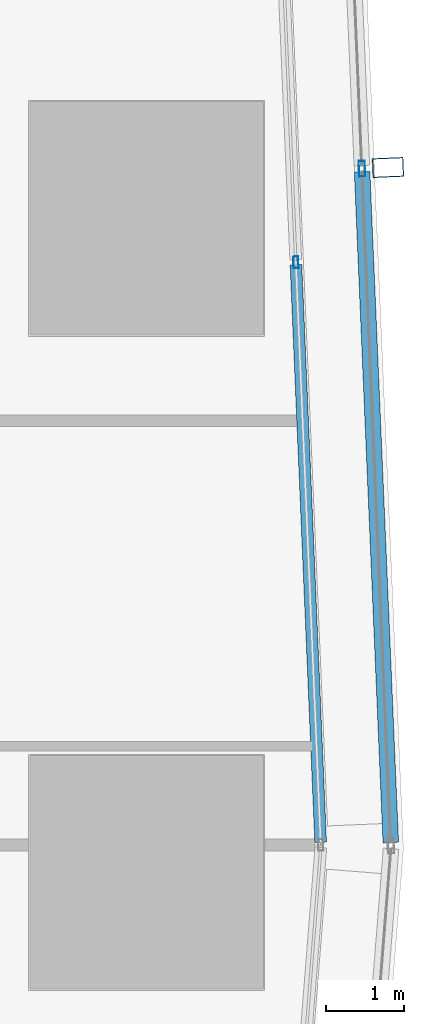
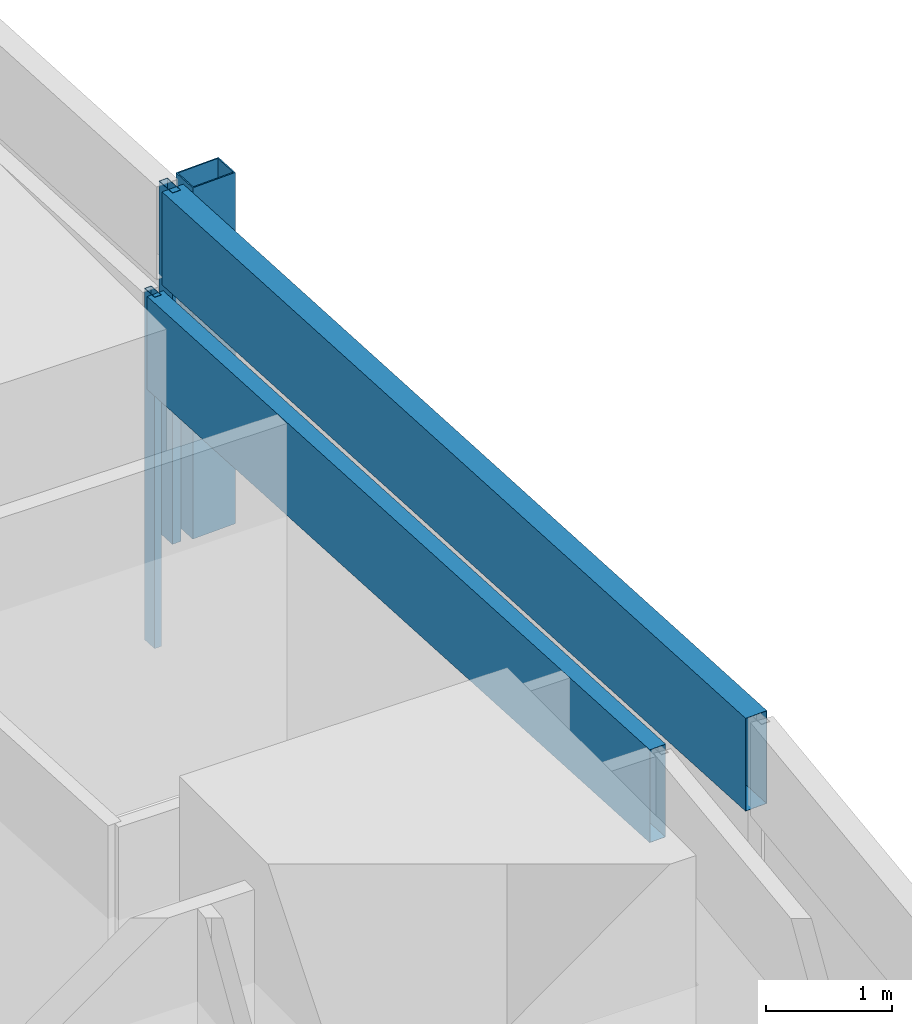
# One storey, part 27 of 44: 5 members, 2 elements without a shape of their own.
"""IFC4 building model written with IfcOpenShell, lengths in metres."""

from ifc_helpers import new_model, si_unit, direction, frame, origin, origin_2d, place, context, subcontext, project, spatial, hollow_rectangle, extrude, material, material_profile, profile_set, type_object, element, aggregate, save


model = new_model("IFC4")

# Units and contexts
model_context = context("Model", 3, precision=1e-05, world=origin(), true_north=direction((0.0, 1.0)))
body_context = subcontext(model_context, "Body", "Model", "MODEL_VIEW")
ifc_project = project(units=[si_unit("LENGTHUNIT", "METRE"), si_unit("AREAUNIT", "SQUARE_METRE"), si_unit("VOLUMEUNIT", "CUBIC_METRE"), si_unit("PLANEANGLEUNIT", "RADIAN"), si_unit("MASSUNIT", "GRAM", prefix="KILO")], contexts=[model_context])

# Site, building, storey
site_placement = place(None, origin())
site = spatial("IfcSite", under=ifc_project, at=site_placement, CompositionType="ELEMENT")
building_placement = place(site_placement, origin())
building = spatial("IfcBuilding", under=site, at=building_placement, Name="Rekha Terrace Tower", CompositionType="ELEMENT")
storey_placement = place(building_placement, frame((0.0, 0.0, 81.64990234375)))
storey = spatial("IfcBuildingStorey", under=building, at=storey_placement, Name="L20", CompositionType="ELEMENT", Elevation=81.64990234375)

# Curtain wall, member
ifc_material_1 = material(Name="Aluminium framing", Category="aluminium")
curtain_wall_type_1 = type_object("IfcCurtainWallType", Name="CW2 double skin outer glazing", PredefinedType="USERDEFINED", material=ifc_material_1)
curtain_wall_1_placement = place(storey_placement, origin())
curtain_wall_1 = element("IfcCurtainWall", 1, at=curtain_wall_1_placement, inside=storey, type_object=curtain_wall_type_1, Name="CW2 double skin outer glazing", ObjectType="DOUBLE SKIN OUTER GLAZING", PredefinedType="USERDEFINED")
ifc_material_2 = material(Name="Steel S355 with fluorocarbon finish", Category="steel")
ifc_material_profile_1 = material_profile(ifc_material_2, hollow_rectangle(XDim=0.25, YDim=0.39990234375, WallThickness=0.012451171875, at=origin_2d()), Name="RHS400x250x12.5")
ifc_profile_set_1 = profile_set([ifc_material_profile_1], Name="Steel S355 with fluorocarbon finish")
member_type_1 = type_object("IfcMemberType", Name="BL1 facade blade RHS 400 x 250", PredefinedType="USERDEFINED", material=ifc_profile_set_1)
member_1_placement = place(storey_placement, frame((70.301025390625, 34.2529296875, 0.0), z_axis=(0.0, 0.0, 1.0), x_axis=(-0.04269522475, 0.99908814315, 0.0)))
member_1 = element("IfcMember", 2, at=member_1_placement, type_object=member_type_1, Name="Facade blade", ObjectType="FACADE BLADE", PredefinedType="USERDEFINED", context=body_context, shape_type="SweptSolid", body=[
    extrude(hollow_rectangle(XDim=0.25, YDim=0.39990234375, WallThickness=0.012451171875, at=origin_2d()), origin(), (0.0, 0.0, 1.0), 3.400146484375),
])

# Curtain wall, members
curtain_wall_type_2 = type_object("IfcCurtainWallType", Name="CW1 double skin inner glazing", PredefinedType="USERDEFINED", material=ifc_material_1)
curtain_wall_2_placement = place(storey_placement, origin())
curtain_wall_2 = element("IfcCurtainWall", 3, at=curtain_wall_2_placement, inside=storey, type_object=curtain_wall_type_2, Name="CW1 double skin inner glazing", ObjectType="DOUBLE SKIN INNER GLAZING", PredefinedType="USERDEFINED")
ifc_material_3 = material(Name="Aluminium mullion section", Category="aluminium")
ifc_material_profile_2 = material_profile(ifc_material_3, hollow_rectangle(XDim=0.06494140625, YDim=0.14990234375, WallThickness=0.00390625, at=origin_2d()), Name="AL RHS 65x150")
ifc_profile_set_2 = profile_set([ifc_material_profile_2], Name="Aluminium mullion section")
member_type_2 = type_object("IfcMemberType", Name="CW1 mullion RHS 65 x 150", PredefinedType="MULLION", material=ifc_profile_set_2)
member_2_placement = place(storey_placement, frame((69.116943359375, 33.035888671875, 0.0), z_axis=(0.0, 0.0, 1.0), x_axis=(-0.999088106904, -0.042696072921, 0.0)))
member_2 = element("IfcMember", 4, at=member_2_placement, type_object=member_type_2, Name="CW1 mullion 2", PredefinedType="MULLION", context=body_context, shape_type="SweptSolid", body=[
    extrude(hollow_rectangle(XDim=0.06494140625, YDim=0.14990234375, WallThickness=0.00390625, at=origin_2d()), origin(), (0.0, 0.0, 1.0), 3.400146484375),
])
ifc_material_4 = material(Name="Insulated aluminium spandrel box", Category="aluminium")
ifc_material_profile_3 = material_profile(ifc_material_4, hollow_rectangle(XDim=0.14990234375, YDim=0.89990234375, WallThickness=0.0029296875, at=origin_2d()), Name="AL SPANDREL BOX 150x900")
ifc_profile_set_3 = profile_set([ifc_material_profile_3], Name="Insulated aluminium spandrel box")
member_type_3 = type_object("IfcMemberType", Name="CW1 spandrel transom 150 x 900", PredefinedType="USERDEFINED", material=ifc_profile_set_3)
member_3_placement = place(storey_placement, frame((69.435546875, 25.584228515625, 2.9501953125), z_axis=(-0.042706731354, 0.999087651359, 0.0), x_axis=(-0.999087651359, -0.042706731354, 0.0)))
member_3 = element("IfcMember", 5, at=member_3_placement, type_object=member_type_3, Name="CW1 spandrel transom 1", ObjectType="TRANSOM", PredefinedType="USERDEFINED", context=body_context, shape_type="SweptSolid", body=[
    extrude(hollow_rectangle(XDim=0.14990234375, YDim=0.89990234375, WallThickness=0.0029296875, at=origin_2d()), origin(), (0.0, 0.0, 1.0), 7.426025390625),
])
aggregate(curtain_wall_2, [member_2, member_3])

# Member
ifc_material_profile_4 = material_profile(ifc_material_3, hollow_rectangle(XDim=0.080078125, YDim=0.199951171875, WallThickness=0.00390625, at=origin_2d()), Name="AL RHS 80x200")
ifc_profile_set_4 = profile_set([ifc_material_profile_4], Name="Aluminium mullion section")
member_type_4 = type_object("IfcMemberType", Name="CW2 mullion RHS 80 x 200", PredefinedType="MULLION", material=ifc_profile_set_4)
member_4_placement = place(storey_placement, frame((69.96630859375, 34.23876953125, 0.0), z_axis=(0.0, 0.0, 1.0), x_axis=(-0.999088106903, -0.042696072956, 0.0)))
member_4 = element("IfcMember", 6, at=member_4_placement, type_object=member_type_4, Name="CW2 mullion 2", PredefinedType="MULLION", context=body_context, shape_type="SweptSolid", body=[
    extrude(hollow_rectangle(XDim=0.080078125, YDim=0.199951171875, WallThickness=0.00390625, at=origin_2d()), origin(), (0.0, 0.0, 1.0), 3.400146484375),
])

ifc_material_profile_5 = material_profile(ifc_material_4, hollow_rectangle(XDim=0.199951171875, YDim=0.89990234375, WallThickness=0.0029296875, at=origin_2d()), Name="AL SPANDREL BOX 200x900")
ifc_profile_set_5 = profile_set([ifc_material_profile_5], Name="Insulated aluminium spandrel box")
member_type_5 = type_object("IfcMemberType", Name="CW2 spandrel transom 200 x 900", PredefinedType="USERDEFINED", material=ifc_profile_set_5)
member_5_placement = place(storey_placement, frame((70.33642578125, 25.582763671875, 2.9501953125), z_axis=(-0.042719742329, 0.99908709511, 0.0), x_axis=(-0.99908709511, -0.042719742329, 0.0)))
member_5 = element("IfcMember", 7, at=member_5_placement, type_object=member_type_5, Name="CW2 spandrel transom 1", ObjectType="TRANSOM", PredefinedType="USERDEFINED", context=body_context, shape_type="SweptSolid", body=[
    extrude(hollow_rectangle(XDim=0.199951171875, YDim=0.89990234375, WallThickness=0.0029296875, at=origin_2d()), origin(), (0.0, 0.0, 1.0), 8.623779296875),
])

aggregate(curtain_wall_1, [member_4, member_5, member_1])

save(model, "model.ifc")
